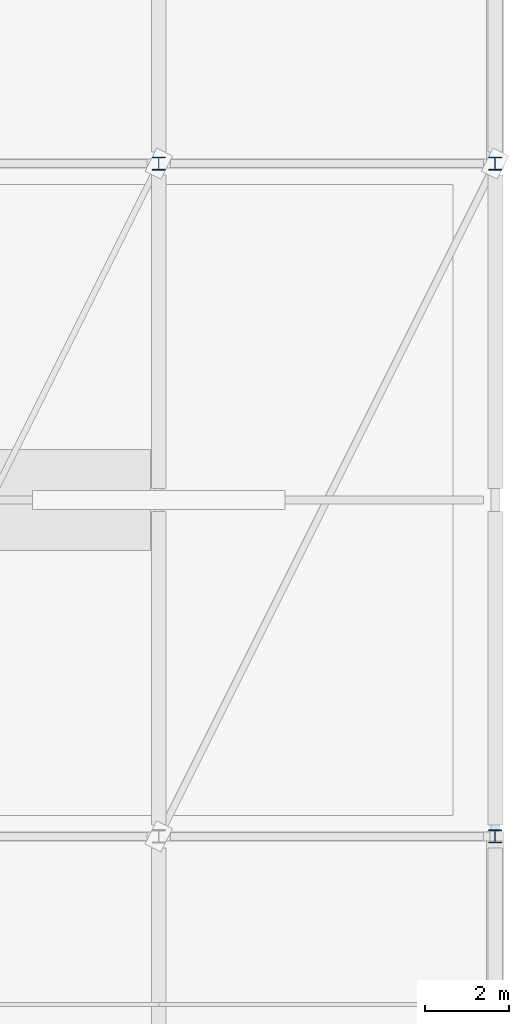
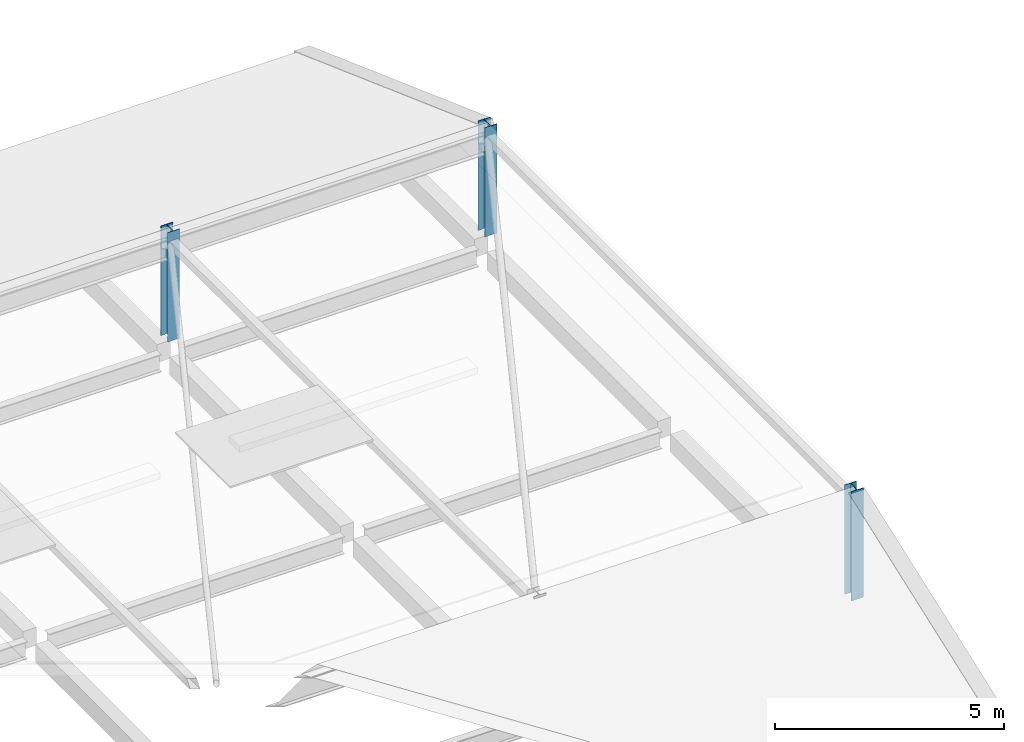
# One storey, part 5 of 47: 3 columns.
"""IFC4 building model written with IfcOpenShell, lengths in metres."""

from ifc_helpers import new_model, si_unit, direction, frame, origin, origin_2d, place, context, subcontext, project, spatial, i_section, extrude, material, material_profile, profile_set, type_object, element, save


model = new_model("IFC4")

# Units and contexts
model_context = context("Model", 3, precision=1e-05, world=origin(), true_north=direction((0.0, 1.0)))
body_context = subcontext(model_context, "Body", "Model", "MODEL_VIEW")
ifc_project = project(units=[si_unit("LENGTHUNIT", "METRE"), si_unit("AREAUNIT", "SQUARE_METRE"), si_unit("VOLUMEUNIT", "CUBIC_METRE"), si_unit("PLANEANGLEUNIT", "RADIAN"), si_unit("MASSUNIT", "GRAM", prefix="KILO")], contexts=[model_context])

# Site, building, storey
site_placement = place(None, origin())
site = spatial("IfcSite", under=ifc_project, at=site_placement, CompositionType="ELEMENT")
building_placement = place(site_placement, origin())
building = spatial("IfcBuilding", under=site, at=building_placement, Name="Pecanmere Concourse Central Library", CompositionType="ELEMENT")
storey_placement = place(building_placement, frame((0.0, 0.0, 15.300048828125)))
storey = spatial("IfcBuildingStorey", under=building, at=storey_placement, Name="L04", CompositionType="ELEMENT", Elevation=15.300048828125)

# Columns
ifc_material = material(Name="Structural steel ASTM A992 Grade 50", Category="steel")
ifc_material_profile = material_profile(ifc_material, i_section(OverallWidth=0.304931640625, OverallDepth=0.30810546875, WebThickness=0.010009765625, FlangeThickness=0.015380859375, at=origin_2d()), Name="W310x97")
ifc_profile_set = profile_set([ifc_material_profile], Name="Structural steel ASTM A992 Grade 50")
column_type = type_object("IfcColumnType", Name="COL_STL_W310x97", PredefinedType="COLUMN", material=ifc_profile_set)
for number, where, z_axis, x_axis, name in (
    (1, (160.0, 24.0, 0.0), (0.0, 0.0, 1.0), (1.0, 0.0, 0.0), "Pavilion Ridge Monitor Column 049"),
    (2, (168.0, 8.0, 0.0), (0.0, 0.0, 1.0), (1.0, 0.0, 0.0), "Pavilion Ridge Monitor Column 050"),
    (3, (168.0, 24.0, 0.0), (0.0, 0.0, 1.0), (1.0, 0.0, 0.0), "Pavilion Ridge Monitor Column 051"),
):
    element("IfcColumn", number, at=place(storey_placement, frame(where, z_axis=z_axis, x_axis=x_axis)), inside=storey, type_object=column_type, Name=name, PredefinedType="COLUMN", context=body_context, shape_type="SweptSolid", body=[
        extrude(i_section(OverallWidth=0.304931640625, OverallDepth=0.30810546875, WebThickness=0.010009765625, FlangeThickness=0.015380859375, at=origin_2d()), origin(), (0.0, 0.0, 1.0), 2.911865234375),
    ])

save(model, "model.ifc")
